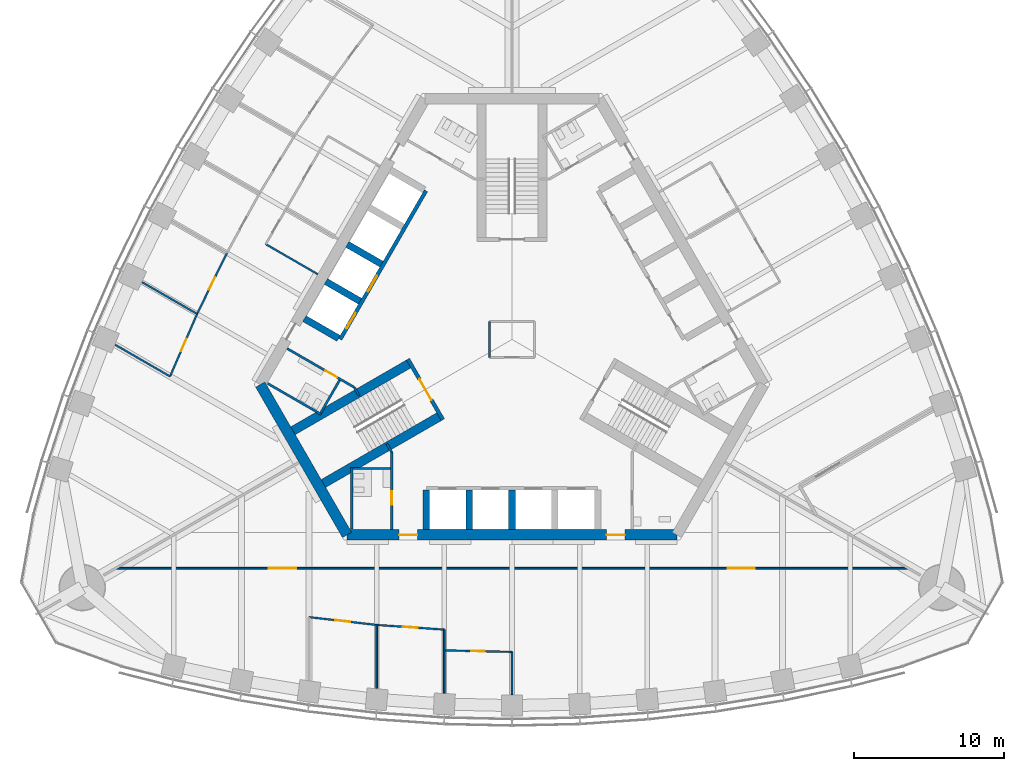
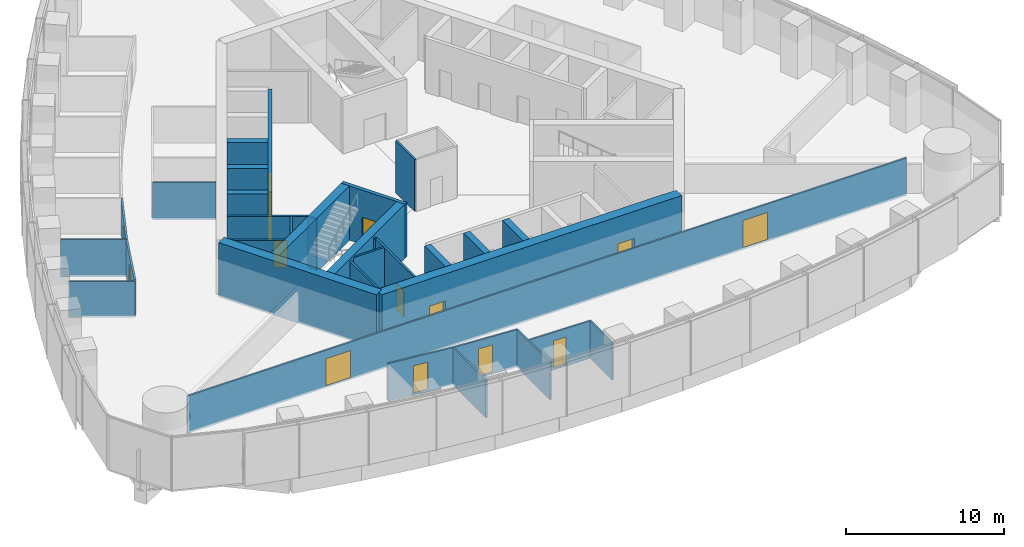
# One storey, part 11 of 19: 33 walls, 14 doors, 14 openings.
"""IFC4 building model written with IfcOpenShell, lengths in metres."""

from ifc_helpers import new_model, si_unit, direction, frame, frame_2d, origin, place, context, subcontext, project, spatial, rectangle, extrude, material, layer, layer_set, type_object, element, fill, save


model = new_model("IFC4")

# Units and contexts
model_context = context("Model", 3, precision=1e-05, world=origin(), true_north=direction((0.0, 1.0)))
body_context = subcontext(model_context, "Body", "Model", "MODEL_VIEW")
ifc_project = project(units=[si_unit("LENGTHUNIT", "METRE"), si_unit("AREAUNIT", "SQUARE_METRE"), si_unit("VOLUMEUNIT", "CUBIC_METRE"), si_unit("PLANEANGLEUNIT", "RADIAN"), si_unit("MASSUNIT", "GRAM", prefix="KILO")], contexts=[model_context])

# Site, building, storey
site_placement = place(None, origin())
site = spatial("IfcSite", under=ifc_project, at=site_placement, CompositionType="ELEMENT")
building_placement = place(site_placement, origin())
building = spatial("IfcBuilding", under=site, at=building_placement, Name="Trefoil Bronze Tower", CompositionType="ELEMENT")
storey_placement = place(building_placement, frame((0.0, 0.0, 248.5)))
storey = spatial("IfcBuildingStorey", under=building, at=storey_placement, Name="L57", CompositionType="ELEMENT", Elevation=248.5)

# Wall, openings, doors
ifc_material_1 = material(Name="Concrete B80", Category="concrete")
ifc_layer_1 = layer(ifc_material_1, 0.699951171875)
ifc_layer_set_1 = layer_set([ifc_layer_1], Name="Core wall 700")
wall_type_1 = type_object("IfcWallType", Name="Core wall 700", PredefinedType="SHEAR", material=ifc_layer_set_1)
wall_1_placement = place(storey_placement, frame((-10.9697265625, -13.0, 0.0), z_axis=(0.0, 0.0, 1.0), x_axis=(1.0, 0.0, 0.0)))
wall_1 = element("IfcWall", 1, at=wall_1_placement, inside=storey, type_object=wall_type_1, Name="Core long wall 1 L57", PredefinedType="SHEAR", context=body_context, shape_type="SweptSolid", body=[
    extrude(rectangle(XDim=21.939453125, YDim=0.699951171875, at=frame_2d((10.9697265625, 0.0))), origin(), (0.0, 0.0, 1.0), 4.199951171875),
])
opening_1_placement = place(wall_1_placement, frame((17.269775390625, 0.0, 0.0)))
opening_1 = element("IfcOpeningElement", 2, at=opening_1_placement, cuts=wall_1, Name="Opening D2", PredefinedType="OPENING", context=body_context, shape_type="SweptSolid", body=[
    extrude(rectangle(XDim=1.199951171875, YDim=2.10009765625, at=frame_2d((0.60009765625, 1.050048828125))), frame((0.0, 0.35986328125, 0.0), z_axis=(0.0, -1.0, 0.0), x_axis=(1.0, 0.0, 0.0)), (0.0, 0.0, 1.0), 0.719970703125),
])
opening_2_placement = place(wall_1_placement, frame((3.4697265625, 0.0, 0.0)))
opening_2 = element("IfcOpeningElement", 3, at=opening_2_placement, cuts=wall_1, Name="Opening D2", PredefinedType="OPENING", context=body_context, shape_type="SweptSolid", body=[
    extrude(rectangle(XDim=1.199951171875, YDim=2.10009765625, at=frame_2d((0.60009765625, 1.050048828125))), frame((0.0, 0.35986328125, 0.0), z_axis=(0.0, -1.0, 0.0), x_axis=(1.0, 0.0, 0.0)), (0.0, 0.0, 1.0), 0.719970703125),
])
ifc_material_2 = material(Name="Steel door", Category="steel")
door_type_1 = type_object("IfcDoorType", Name="Lobby door 1200", OperationType="SINGLE_SWING_RIGHT", PredefinedType="DOOR", material=ifc_material_2)
door_1_placement = place(opening_1_placement, origin())
door_1 = element("IfcDoor", 4, at=door_1_placement, inside=storey, type_object=door_type_1, Name="Lobby door F1+ L57", OperationType="SINGLE_SWING_RIGHT", OverallHeight=2.10009765625, OverallWidth=1.199951171875, PredefinedType="DOOR", context=body_context, shape_type="SweptSolid", body=[
    extrude(rectangle(XDim=1.199951171875, YDim=2.10009765625, at=frame_2d((0.60009765625, 1.050048828125))), frame((0.0, 0.02490234375, 0.0), z_axis=(0.0, -1.0, 0.0), x_axis=(1.0, 0.0, 0.0)), (0.0, 0.0, 1.0), 0.050048828125),
])
fill(opening_1, door_1)
door_2_placement = place(opening_2_placement, origin())
door_2 = element("IfcDoor", 5, at=door_2_placement, inside=storey, type_object=door_type_1, Name="Lobby door F1- L57", OperationType="SINGLE_SWING_LEFT", OverallHeight=2.10009765625, OverallWidth=1.199951171875, PredefinedType="DOOR", context=body_context, shape_type="SweptSolid", body=[
    extrude(rectangle(XDim=1.199951171875, YDim=2.10009765625, at=frame_2d((0.60009765625, 1.050048828125))), frame((0.0, 0.02490234375, 0.0), z_axis=(0.0, -1.0, 0.0), x_axis=(1.0, 0.0, 0.0)), (0.0, 0.0, 1.0), 0.050048828125),
])
fill(opening_2, door_2)

# Wall
wall_2_placement = place(storey_placement, frame((-16.7431640625, -3.0, 0.0), z_axis=(0.0, 0.0, 1.0), x_axis=(0.499995765644, -0.866027848477, 0.0)))
element("IfcWall", 6, at=wall_2_placement, inside=storey, type_object=wall_type_1, Name="Core short wall 3 L57", PredefinedType="SHEAR", context=body_context, shape_type="SweptSolid", body=[
    extrude(rectangle(XDim=11.546875, YDim=0.699951171875, at=frame_2d((5.7734375, 0.0))), origin(), (0.0, 0.0, 1.0), 4.199951171875),
])

# Wall, openings, doors
ifc_material_3 = material(Name="Glazed partition", Category="glass")
ifc_layer_2 = layer(ifc_material_3, 0.1201171875)
ifc_layer_set_2 = layer_set([ifc_layer_2], Name="Glazed partition 120")
wall_type_2 = type_object("IfcWallType", Name="Glazed partition 120", PredefinedType="PARTITIONING", material=ifc_layer_set_2)
wall_3_placement = place(storey_placement, frame((-26.311767578125, -15.2099609375, 0.0), z_axis=(0.0, 0.0, 1.0), x_axis=(1.0, 0.0, 0.0)))
wall_3 = element("IfcWall", 7, at=wall_3_placement, inside=storey, type_object=wall_type_2, Name="Partition F1 L57", PredefinedType="PARTITIONING", context=body_context, shape_type="SweptSolid", body=[
    extrude(rectangle(XDim=52.62353515625, YDim=0.1201171875, at=frame_2d((26.311767578125, 0.0))), origin(), (0.0, 0.0, 1.0), 2.89990234375),
])
opening_3_placement = place(wall_3_placement, frame((10.14990234375, 0.0, 0.14990234375)))
opening_3 = element("IfcOpeningElement", 8, at=opening_3_placement, cuts=wall_3, Name="Opening D10", PredefinedType="OPENING", context=body_context, shape_type="SweptSolid", body=[
    extrude(rectangle(XDim=1.800048828125, YDim=2.10009765625, at=frame_2d((0.89990234375, 1.050048828125))), frame((0.0, 0.070068359375, 0.0), z_axis=(0.0, -1.0, 0.0), x_axis=(1.0, 0.0, 0.0)), (0.0, 0.0, 1.0), 0.14013671875),
])
opening_4_placement = place(wall_3_placement, frame((40.64990234375, 0.0, 0.14990234375)))
opening_4 = element("IfcOpeningElement", 9, at=opening_4_placement, cuts=wall_3, Name="Opening D10", PredefinedType="OPENING", context=body_context, shape_type="SweptSolid", body=[
    extrude(rectangle(XDim=1.800048828125, YDim=2.10009765625, at=frame_2d((0.89990234375, 1.050048828125))), frame((0.0, 0.070068359375, 0.0), z_axis=(0.0, -1.0, 0.0), x_axis=(1.0, 0.0, 0.0)), (0.0, 0.0, 1.0), 0.14013671875),
])
ifc_material_4 = material(Name="Timber door", Category="wood")
door_type_2 = type_object("IfcDoorType", Name="Double door 1800", OperationType="DOUBLE_DOOR_SINGLE_SWING", PredefinedType="DOOR", material=ifc_material_4)
door_3_placement = place(opening_3_placement, origin())
door_3 = element("IfcDoor", 10, at=door_3_placement, inside=storey, type_object=door_type_2, Name="Corridor door F1 L57", OperationType="DOUBLE_DOOR_SINGLE_SWING", OverallHeight=2.10009765625, OverallWidth=1.800048828125, PredefinedType="DOOR", context=body_context, shape_type="SweptSolid", body=[
    extrude(rectangle(XDim=1.800048828125, YDim=2.10009765625, at=frame_2d((0.89990234375, 1.050048828125))), frame((0.0, 0.02490234375, 0.0), z_axis=(0.0, -1.0, 0.0), x_axis=(1.0, 0.0, 0.0)), (0.0, 0.0, 1.0), 0.050048828125),
])
fill(opening_3, door_3)
door_4_placement = place(opening_4_placement, origin())
door_4 = element("IfcDoor", 11, at=door_4_placement, inside=storey, type_object=door_type_2, Name="Corridor door F1 L57", OperationType="DOUBLE_DOOR_SINGLE_SWING", OverallHeight=2.10009765625, OverallWidth=1.800048828125, PredefinedType="DOOR", context=body_context, shape_type="SweptSolid", body=[
    extrude(rectangle(XDim=1.800048828125, YDim=2.10009765625, at=frame_2d((0.89990234375, 1.050048828125))), frame((0.0, 0.02490234375, 0.0), z_axis=(0.0, -1.0, 0.0), x_axis=(1.0, 0.0, 0.0)), (0.0, 0.0, 1.0), 0.050048828125),
])
fill(opening_4, door_4)

# Wall, opening, door
wall_4_placement = place(storey_placement, frame((-13.5, -18.466064453125, 0.0), z_axis=(0.0, 0.0, 1.0), x_axis=(0.993382946625, -0.114849124309, 0.0)))
wall_4 = element("IfcWall", 12, at=wall_4_placement, inside=storey, type_object=wall_type_2, Name="Partition F1 L57", PredefinedType="PARTITIONING", context=body_context, shape_type="SweptSolid", body=[
    extrude(rectangle(XDim=4.530029296875, YDim=0.1201171875, at=frame_2d((2.26513671875, 0.0))), origin(), (0.0, 0.0, 1.0), 2.89990234375),
])
opening_5_placement = place(wall_4_placement, frame((1.75, 0.0, 0.14990234375)))
opening_5 = element("IfcOpeningElement", 13, at=opening_5_placement, cuts=wall_4, Name="Opening D9", PredefinedType="OPENING", context=body_context, shape_type="SweptSolid", body=[
    extrude(rectangle(XDim=1.0, YDim=2.10009765625, at=frame_2d((0.5, 1.050048828125))), frame((0.0, 0.070068359375, 0.0), z_axis=(0.0, -1.0, 0.0), x_axis=(1.0, 0.0, 0.0)), (0.0, 0.0, 1.0), 0.14013671875),
])
ifc_material_5 = material(Name="Glazed timber door", Category="wood")
door_type_3 = type_object("IfcDoorType", Name="Meeting room door 1000", OperationType="SINGLE_SWING_LEFT", PredefinedType="DOOR", material=ifc_material_5)
door_5_placement = place(opening_5_placement, frame((1.0, 0.0, 0.0), z_axis=(0.0, 0.0, 1.0), x_axis=(-1.0, 0.0, 0.0)))
door_5 = element("IfcDoor", 14, at=door_5_placement, inside=storey, type_object=door_type_3, Name="Meeting room door F1 L57", OperationType="SINGLE_SWING_RIGHT", OverallHeight=2.10009765625, OverallWidth=1.0, PredefinedType="DOOR", context=body_context, shape_type="SweptSolid", body=[
    extrude(rectangle(XDim=1.0, YDim=2.10009765625, at=frame_2d((0.5, 1.050048828125))), frame((0.0, 0.02490234375, 0.0), z_axis=(0.0, -1.0, 0.0), x_axis=(1.0, 0.0, 0.0)), (0.0, 0.0, 1.0), 0.050048828125),
])
fill(opening_5, door_5)

wall_5_placement = place(storey_placement, frame((-4.5, -20.67724609375, 0.0), z_axis=(0.0, 0.0, 1.0), x_axis=(0.99973677065, -0.022943177842, 0.0)))
wall_5 = element("IfcWall", 15, at=wall_5_placement, inside=storey, type_object=wall_type_2, Name="Partition F1 L57", PredefinedType="PARTITIONING", context=body_context, shape_type="SweptSolid", body=[
    extrude(rectangle(XDim=4.501220703125, YDim=0.1201171875, at=frame_2d((2.25048828125, 0.0))), origin(), (0.0, 0.0, 1.0), 2.89990234375),
])
opening_6_placement = place(wall_5_placement, frame((1.800048828125, 0.0, 0.14990234375)))
opening_6 = element("IfcOpeningElement", 16, at=opening_6_placement, cuts=wall_5, Name="Opening D8", PredefinedType="OPENING", context=body_context, shape_type="SweptSolid", body=[
    extrude(rectangle(XDim=0.89990234375, YDim=2.10009765625, at=frame_2d((0.449951171875, 1.050048828125))), frame((0.0, 0.070068359375, 0.0), z_axis=(0.0, -1.0, 0.0), x_axis=(1.0, 0.0, 0.0)), (0.0, 0.0, 1.0), 0.14013671875),
])
ifc_material_6 = material(Name="Timber door", Category="wood")
door_type_4 = type_object("IfcDoorType", Name="Office door 900", OperationType="SINGLE_SWING_LEFT", PredefinedType="DOOR", material=ifc_material_6)
door_6_placement = place(opening_6_placement, frame((0.89990234375, 0.0, 0.0), z_axis=(0.0, 0.0, 1.0), x_axis=(-1.0, 0.0, 0.0)))
door_6 = element("IfcDoor", 17, at=door_6_placement, inside=storey, type_object=door_type_4, Name="Pantry door F1 L57", OperationType="SINGLE_SWING_RIGHT", OverallHeight=2.10009765625, OverallWidth=0.89990234375, PredefinedType="DOOR", context=body_context, shape_type="SweptSolid", body=[
    extrude(rectangle(XDim=0.89990234375, YDim=2.10009765625, at=frame_2d((0.449951171875, 1.050048828125))), frame((0.0, 0.02490234375, 0.0), z_axis=(0.0, -1.0, 0.0), x_axis=(1.0, 0.0, 0.0)), (0.0, 0.0, 1.0), 0.050048828125),
])
fill(opening_6, door_6)

wall_6_placement = place(storey_placement, frame((-9.0, -18.986328125, 0.0), z_axis=(0.0, 0.0, 1.0), x_axis=(0.997623533978, -0.068900540297, 0.0)))
wall_6 = element("IfcWall", 18, at=wall_6_placement, inside=storey, type_object=wall_type_2, Name="Partition F1 L57", PredefinedType="PARTITIONING", context=body_context, shape_type="SweptSolid", body=[
    extrude(rectangle(XDim=4.5107421875, YDim=0.1201171875, at=frame_2d((2.25537109375, 0.0))), origin(), (0.0, 0.0, 1.0), 2.89990234375),
])
opening_7_placement = place(wall_6_placement, frame((1.75, 0.0, 0.14990234375)))
opening_7 = element("IfcOpeningElement", 19, at=opening_7_placement, cuts=wall_6, Name="Opening D9", PredefinedType="OPENING", context=body_context, shape_type="SweptSolid", body=[
    extrude(rectangle(XDim=1.0, YDim=2.10009765625, at=frame_2d((0.5, 1.050048828125))), frame((0.0, 0.070068359375, 0.0), z_axis=(0.0, -1.0, 0.0), x_axis=(1.0, 0.0, 0.0)), (0.0, 0.0, 1.0), 0.14013671875),
])
door_7_placement = place(opening_7_placement, frame((1.0, 0.0, 0.0), z_axis=(0.0, 0.0, 1.0), x_axis=(-1.0, 0.0, 0.0)))
door_7 = element("IfcDoor", 20, at=door_7_placement, inside=storey, type_object=door_type_3, Name="Meeting room door F1 L57", OperationType="SINGLE_SWING_RIGHT", OverallHeight=2.10009765625, OverallWidth=1.0, PredefinedType="DOOR", context=body_context, shape_type="SweptSolid", body=[
    extrude(rectangle(XDim=1.0, YDim=2.10009765625, at=frame_2d((0.5, 1.050048828125))), frame((0.0, 0.02490234375, 0.0), z_axis=(0.0, -1.0, 0.0), x_axis=(1.0, 0.0, 0.0)), (0.0, 0.0, 1.0), 0.050048828125),
])
fill(opening_7, door_7)

# Walls
wall_7_placement = place(storey_placement, frame((0.0, -20.780517578125, 0.0), z_axis=(0.0, 0.0, 1.0), x_axis=(0.0, -1.0, 0.0)))
element("IfcWall", 21, at=wall_7_placement, inside=storey, type_object=wall_type_2, Name="Partition F1 L57", PredefinedType="PARTITIONING", context=body_context, shape_type="SweptSolid", body=[
    extrude(rectangle(XDim=2.840087890625, YDim=0.1201171875, at=frame_2d((1.419921875, 0.0))), origin(), (0.0, 0.0, 1.0), 2.89990234375),
])
wall_8_placement = place(storey_placement, frame((-4.5, -19.297119140625, 0.0), z_axis=(0.0, 0.0, 1.0), x_axis=(0.0, -1.0, 0.0)))
element("IfcWall", 22, at=wall_8_placement, inside=storey, type_object=wall_type_2, Name="Partition F1 L57", PredefinedType="PARTITIONING", context=body_context, shape_type="SweptSolid", body=[
    extrude(rectangle(XDim=4.218505859375, YDim=0.1201171875, at=frame_2d((2.109375, 0.0))), origin(), (0.0, 0.0, 1.0), 2.89990234375),
])
wall_9_placement = place(storey_placement, frame((-9.0, -18.986328125, 0.0), z_axis=(0.0, 0.0, 1.0), x_axis=(0.0, -1.0, 0.0)))
element("IfcWall", 23, at=wall_9_placement, inside=storey, type_object=wall_type_2, Name="Partition F1 L57", PredefinedType="PARTITIONING", context=body_context, shape_type="SweptSolid", body=[
    extrude(rectangle(XDim=4.213623046875, YDim=0.1201171875, at=frame_2d((2.10693359375, 0.0))), origin(), (0.0, 0.0, 1.0), 2.89990234375),
])
wall_10_placement = place(storey_placement, frame((-12.911376953125, 4.336669921875, 0.0), z_axis=(0.0, 0.0, 1.0), x_axis=(-0.866026010844, 0.49999894854, 0.0)))
element("IfcWall", 24, at=wall_10_placement, inside=storey, type_object=wall_type_2, Name="Partition F3 L57", PredefinedType="PARTITIONING", context=body_context, shape_type="SweptSolid", body=[
    extrude(rectangle(XDim=4.0, YDim=0.1201171875, at=frame_2d((2.0, 0.0))), origin(), (0.0, 0.0, 1.0), 2.89990234375),
])

# Wall, opening, door
wall_11_placement = place(storey_placement, frame((-18.9619140625, 5.75146484375, 0.0), z_axis=(0.0, 0.0, 1.0), x_axis=(-0.43911984878, -0.898428493764, 0.0)))
wall_11 = element("IfcWall", 25, at=wall_11_placement, inside=storey, type_object=wall_type_2, Name="Partition F3 L57", PredefinedType="PARTITIONING", context=body_context, shape_type="SweptSolid", body=[
    extrude(rectangle(XDim=4.5107421875, YDim=0.1201171875, at=frame_2d((2.25537109375, 0.0))), origin(), (0.0, 0.0, 1.0), 2.89990234375),
])
opening_8_placement = place(wall_11_placement, frame((1.800048828125, 0.0, 0.14990234375)))
opening_8 = element("IfcOpeningElement", 26, at=opening_8_placement, cuts=wall_11, Name="Opening D8", PredefinedType="OPENING", context=body_context, shape_type="SweptSolid", body=[
    extrude(rectangle(XDim=0.89990234375, YDim=2.10009765625, at=frame_2d((0.449951171875, 1.050048828125))), frame((0.0, 0.070068359375, 0.0), z_axis=(0.0, -1.0, 0.0), x_axis=(1.0, 0.0, 0.0)), (0.0, 0.0, 1.0), 0.14013671875),
])
door_8_placement = place(opening_8_placement, frame((0.89990234375, 0.0, 0.0), z_axis=(0.0, 0.0, 1.0), x_axis=(-1.0, 0.0, 0.0)))
door_8 = element("IfcDoor", 27, at=door_8_placement, inside=storey, type_object=door_type_4, Name="Office door F3 L57", OperationType="SINGLE_SWING_RIGHT", OverallHeight=2.10009765625, OverallWidth=0.89990234375, PredefinedType="DOOR", context=body_context, shape_type="SweptSolid", body=[
    extrude(rectangle(XDim=0.89990234375, YDim=2.10009765625, at=frame_2d((0.449951171875, 1.050048828125))), frame((0.0, 0.02490234375, 0.0), z_axis=(0.0, -1.0, 0.0), x_axis=(1.0, 0.0, 0.0)), (0.0, 0.0, 1.0), 0.050048828125),
])
fill(opening_8, door_8)

wall_12_placement = place(storey_placement, frame((-20.942626953125, 1.698974609375, 0.0), z_axis=(0.0, 0.0, 1.0), x_axis=(-0.397253491631, -0.917708920839, 0.0)))
wall_12 = element("IfcWall", 28, at=wall_12_placement, inside=storey, type_object=wall_type_2, Name="Partition F3 L57", PredefinedType="PARTITIONING", context=body_context, shape_type="SweptSolid", body=[
    extrude(rectangle(XDim=4.530029296875, YDim=0.1201171875, at=frame_2d((2.26513671875, 0.0))), origin(), (0.0, 0.0, 1.0), 2.89990234375),
])
opening_9_placement = place(wall_12_placement, frame((1.800048828125, 0.0, 0.14990234375)))
opening_9 = element("IfcOpeningElement", 29, at=opening_9_placement, cuts=wall_12, Name="Opening D8", PredefinedType="OPENING", context=body_context, shape_type="SweptSolid", body=[
    extrude(rectangle(XDim=0.89990234375, YDim=2.10009765625, at=frame_2d((0.449951171875, 1.050048828125))), frame((0.0, 0.070068359375, 0.0), z_axis=(0.0, -1.0, 0.0), x_axis=(1.0, 0.0, 0.0)), (0.0, 0.0, 1.0), 0.14013671875),
])
door_9_placement = place(opening_9_placement, frame((0.89990234375, 0.0, 0.0), z_axis=(0.0, 0.0, 1.0), x_axis=(-1.0, 0.0, 0.0)))
door_9 = element("IfcDoor", 30, at=door_9_placement, inside=storey, type_object=door_type_4, Name="Office door F3 L57", OperationType="SINGLE_SWING_RIGHT", OverallHeight=2.10009765625, OverallWidth=0.89990234375, PredefinedType="DOOR", context=body_context, shape_type="SweptSolid", body=[
    extrude(rectangle(XDim=0.89990234375, YDim=2.10009765625, at=frame_2d((0.449951171875, 1.050048828125))), frame((0.0, 0.02490234375, 0.0), z_axis=(0.0, -1.0, 0.0), x_axis=(1.0, 0.0, 0.0)), (0.0, 0.0, 1.0), 0.050048828125),
])
fill(opening_9, door_9)

# Walls
wall_13_placement = place(storey_placement, frame((-22.7421875, -2.458251953125, 0.0), z_axis=(0.0, 0.0, 1.0), x_axis=(-0.866033799337, 0.499985458195, 0.0)))
element("IfcWall", 31, at=wall_13_placement, inside=storey, type_object=wall_type_2, Name="Partition F3 L57", PredefinedType="PARTITIONING", context=body_context, shape_type="SweptSolid", body=[
    extrude(rectangle(XDim=4.205322265625, YDim=0.1201171875, at=frame_2d((2.1025390625, 0.0))), origin(), (0.0, 0.0, 1.0), 2.800048828125),
])
wall_14_placement = place(storey_placement, frame((-20.942626953125, 1.698974609375, 0.0), z_axis=(0.0, 0.0, 1.0), x_axis=(-0.866041823485, 0.499971559166, 0.0)))
element("IfcWall", 32, at=wall_14_placement, inside=storey, type_object=wall_type_2, Name="Partition F3 L57", PredefinedType="PARTITIONING", context=body_context, shape_type="SweptSolid", body=[
    extrude(rectangle(XDim=4.213623046875, YDim=0.1201171875, at=frame_2d((2.10693359375, 0.0))), origin(), (0.0, 0.0, 1.0), 2.89990234375),
])
ifc_material_7 = material(Name="Concrete B80", Category="concrete")
ifc_layer_3 = layer(ifc_material_7, 0.449951171875)
ifc_layer_set_3 = layer_set([ifc_layer_3], Name="Outrigger shaft wall 450")
wall_type_3 = type_object("IfcWallType", Name="Outrigger shaft wall 450", PredefinedType="SHEAR", material=ifc_layer_set_3)
for number, where, z_axis, x_axis, name in (
    (33, (-5.699951171875, -10.02490234375, 0.0), (0.0, 0.0, 1.0), (0.0, -1.0, 0.0), "Lift shaft side wall A0 L57"),
    (34, (-2.85009765625, -10.02490234375, 0.0), (0.0, 0.0, 1.0), (0.0, -1.0, 0.0), "Lift shaft side wall A1 L57"),
    (35, (0.0, -10.02490234375, 0.0), (0.0, 0.0, 1.0), (0.0, -1.0, 0.0), "Lift shaft side wall A2 L57"),
    (36, (-8.681884765625, 5.012451171875, 0.0), (0.0, 0.0, 1.0), (-0.866036909293, 0.499980071345, 0.0), "Lift shaft side wall C2 L57"),
    (37, (-10.10693359375, 2.54443359375, 0.0), (0.0, 0.0, 1.0), (-0.866013657776, 0.500020344131, 0.0), "Lift shaft side wall C3 L57"),
    (38, (-11.531982421875, 0.076171875, 0.0), (0.0, 0.0, 1.0), (-0.866013657776, 0.500020344131, 0.0), "Lift shaft side wall C4 L57"),
):
    element("IfcWall", number, at=place(storey_placement, frame(where, z_axis=z_axis, x_axis=x_axis)), inside=storey, type_object=wall_type_3, Name=name, PredefinedType="SHEAR", context=body_context, shape_type="SweptSolid", body=[
        extrude(rectangle(XDim=2.625, YDim=0.449951171875, at=frame_2d((1.3125, 0.0))), origin(), (0.0, 0.0, 1.0), 4.199951171875),
    ])

# Wall, opening, door
ifc_material_8 = material(Name="Gypsum board on steel studs", Category="steel")
ifc_layer_4 = layer(ifc_material_8, 0.14990234375)
ifc_layer_set_4 = layer_set([ifc_layer_4], Name="Partition 150")
wall_type_4 = type_object("IfcWallType", Name="Partition 150", PredefinedType="PARTITIONING", material=ifc_layer_set_4)
wall_15_placement = place(storey_placement, frame((-8.0, -7.5, 0.0), z_axis=(0.0, 0.0, 1.0), x_axis=(0.0, -1.0, 0.0)))
wall_15 = element("IfcWall", 39, at=wall_15_placement, inside=storey, type_object=wall_type_4, Name="Passage wall F1- L57", PredefinedType="PARTITIONING", context=body_context, shape_type="SweptSolid", body=[
    extrude(rectangle(XDim=5.14990234375, YDim=0.14990234375, at=frame_2d((2.574951171875, 0.0))), origin(), (0.0, 0.0, 1.0), 4.0),
])
opening_10_placement = place(wall_15_placement, frame((2.60009765625, 0.0, 0.0)))
opening_10 = element("IfcOpeningElement", 40, at=opening_10_placement, cuts=wall_15, Name="Opening D3", PredefinedType="OPENING", context=body_context, shape_type="SweptSolid", body=[
    extrude(rectangle(XDim=0.89990234375, YDim=2.10009765625, at=frame_2d((0.449951171875, 1.050048828125))), frame((0.0, 0.0849609375, 0.0), z_axis=(0.0, -1.0, 0.0), x_axis=(1.0, 0.0, 0.0)), (0.0, 0.0, 1.0), 0.169921875),
])
ifc_material_9 = material(Name="Timber door", Category="wood")
door_type_5 = type_object("IfcDoorType", Name="WC door 900", OperationType="SINGLE_SWING_LEFT", PredefinedType="DOOR", material=ifc_material_9)
door_10_placement = place(opening_10_placement, frame((0.89990234375, 0.0, 0.0), z_axis=(0.0, 0.0, 1.0), x_axis=(-1.0, 0.0, 0.0)))
door_10 = element("IfcDoor", 41, at=door_10_placement, inside=storey, type_object=door_type_5, Name="WC (women) door L57", OperationType="SINGLE_SWING_RIGHT", OverallHeight=2.10009765625, OverallWidth=0.89990234375, PredefinedType="DOOR", context=body_context, shape_type="SweptSolid", body=[
    extrude(rectangle(XDim=0.89990234375, YDim=2.10009765625, at=frame_2d((0.449951171875, 1.050048828125))), frame((0.0, 0.02490234375, 0.0), z_axis=(0.0, -1.0, 0.0), x_axis=(1.0, 0.0, 0.0)), (0.0, 0.0, 1.0), 0.050048828125),
])
fill(opening_10, door_10)

wall_16_placement = place(storey_placement, frame((-10.4951171875, -3.17822265625, 0.0), z_axis=(0.0, 0.0, 1.0), x_axis=(-0.866037967349, 0.499978238636, 0.0)))
wall_16 = element("IfcWall", 42, at=wall_16_placement, inside=storey, type_object=wall_type_4, Name="Passage wall F3+ L57", PredefinedType="PARTITIONING", context=body_context, shape_type="SweptSolid", body=[
    extrude(rectangle(XDim=5.150146484375, YDim=0.14990234375, at=frame_2d((2.5751953125, 0.0))), origin(), (0.0, 0.0, 1.0), 4.0),
])
opening_11_placement = place(wall_16_placement, frame((1.300048828125, 0.0, 0.0)))
opening_11 = element("IfcOpeningElement", 43, at=opening_11_placement, cuts=wall_16, Name="Opening D3", PredefinedType="OPENING", context=body_context, shape_type="SweptSolid", body=[
    extrude(rectangle(XDim=0.89990234375, YDim=2.10009765625, at=frame_2d((0.449951171875, 1.050048828125))), frame((0.0, 0.0849609375, 0.0), z_axis=(0.0, -1.0, 0.0), x_axis=(1.0, 0.0, 0.0)), (0.0, 0.0, 1.0), 0.169921875),
])
door_11_placement = place(opening_11_placement, origin())
door_11 = element("IfcDoor", 44, at=door_11_placement, inside=storey, type_object=door_type_5, Name="WC (men) door L57", OperationType="SINGLE_SWING_LEFT", OverallHeight=2.10009765625, OverallWidth=0.89990234375, PredefinedType="DOOR", context=body_context, shape_type="SweptSolid", body=[
    extrude(rectangle(XDim=0.89990234375, YDim=2.10009765625, at=frame_2d((0.449951171875, 1.050048828125))), frame((0.0, 0.02490234375, 0.0), z_axis=(0.0, -1.0, 0.0), x_axis=(1.0, 0.0, 0.0)), (0.0, 0.0, 1.0), 0.050048828125),
])
fill(opening_11, door_11)

# Walls
for number, where, z_axis, x_axis, name in (
    (45, (-10.4951171875, -3.17822265625, 0.0), (0.0, 0.0, 1.0), (0.499842556608, -0.866116284689, 0.0), "WC wall ST3-1 L57"),
    (46, (-8.0, -7.5, 0.0), (0.0, 0.0, 1.0), (-0.499842556608, 0.866116284689, 0.0), "WC wall ST3+1 L57"),
):
    element("IfcWall", number, at=place(storey_placement, frame(where, z_axis=z_axis, x_axis=x_axis)), inside=storey, type_object=wall_type_4, Name=name, PredefinedType="PARTITIONING", context=body_context, shape_type="SweptSolid", body=[
        extrude(rectangle(XDim=0.645263671875, YDim=0.14990234375, at=frame_2d((0.32275390625, 0.0))), origin(), (0.0, 0.0, 1.0), 4.0),
    ])
wall_17_placement = place(storey_placement, frame((-12.691162109375, -4.98193359375, 0.0), z_axis=(0.0, 0.0, 1.0), x_axis=(-0.8660249478, 0.500000789788, 0.0)))
element("IfcWall", 47, at=wall_17_placement, inside=storey, type_object=wall_type_4, Name="WC partition WC (men) L57", PredefinedType="PARTITIONING", context=body_context, shape_type="SweptSolid", body=[
    extrude(rectangle(XDim=4.10009765625, YDim=0.14990234375, at=frame_2d((2.050048828125, 0.0))), origin(), (0.0, 0.0, 1.0), 4.0),
])
wall_18_placement = place(storey_placement, frame((-11.463623046875, -2.70556640625, 0.0), z_axis=(0.0, 0.0, 1.0), x_axis=(-0.50001992892, -0.866013897511, 0.0)))
element("IfcWall", 48, at=wall_18_placement, inside=storey, type_object=wall_type_4, Name="WC partition WC (men) L57", PredefinedType="PARTITIONING", context=body_context, shape_type="SweptSolid", body=[
    extrude(rectangle(XDim=2.51025390625, YDim=0.14990234375, at=frame_2d((1.255126953125, 0.0))), origin(), (0.0, 0.0, 1.0), 4.0),
])
wall_19_placement = place(storey_placement, frame((-10.659912109375, -8.5, 0.0), z_axis=(0.0, 0.0, 1.0), x_axis=(0.0, -1.0, 0.0)))
element("IfcWall", 49, at=wall_19_placement, inside=storey, type_object=wall_type_4, Name="WC partition WC (women) L57", PredefinedType="PARTITIONING", context=body_context, shape_type="SweptSolid", body=[
    extrude(rectangle(XDim=4.10009765625, YDim=0.14990234375, at=frame_2d((2.050048828125, 0.0))), origin(), (0.0, 0.0, 1.0), 4.0),
])
wall_20_placement = place(storey_placement, frame((-8.074951171875, -8.574951171875, 0.0), z_axis=(0.0, 0.0, 1.0), x_axis=(-1.0, 0.0, 0.0)))
element("IfcWall", 50, at=wall_20_placement, inside=storey, type_object=wall_type_4, Name="WC partition WC (women) L57", PredefinedType="PARTITIONING", context=body_context, shape_type="SweptSolid", body=[
    extrude(rectangle(XDim=2.510009765625, YDim=0.14990234375, at=frame_2d((1.2548828125, 0.0))), origin(), (0.0, 0.0, 1.0), 4.0),
])
ifc_material_10 = material(Name="Gypsum board on steel studs", Category="steel")
ifc_layer_5 = layer(ifc_material_10, 0.14990234375)
ifc_layer_set_5 = layer_set([ifc_layer_5], Name="Riser wall 150")
wall_type_5 = type_object("IfcWallType", Name="Riser wall 150", PredefinedType="PARTITIONING", material=ifc_layer_set_5)
wall_21_placement = place(storey_placement, frame((-1.5, 1.199951171875, 0.0), z_axis=(0.0, 0.0, 1.0), x_axis=(0.0, -1.0, 0.0)))
element("IfcWall", 51, at=wall_21_placement, inside=storey, type_object=wall_type_5, Name="Riser wall L57", PredefinedType="PARTITIONING", context=body_context, shape_type="SweptSolid", body=[
    extrude(rectangle(XDim=2.39990234375, YDim=0.14990234375, at=frame_2d((1.199951171875, 0.0))), origin(), (0.0, 0.0, 1.0), 4.0),
])

# Wall, openings, doors
ifc_material_11 = material(Name="Concrete B80", Category="concrete")
ifc_layer_6 = layer(ifc_material_11, 0.25)
ifc_layer_set_6 = layer_set([ifc_layer_6], Name="Shaft wall 250")
wall_type_6 = type_object("IfcWallType", Name="Shaft wall 250", PredefinedType="SHEAR", material=ifc_layer_set_6)
wall_22_placement = place(storey_placement, frame((-5.7236328125, 9.88623046875, 0.0), z_axis=(0.0, 0.0, 1.0), x_axis=(-0.500001763848, -0.866024385424, 0.0)))
wall_22 = element("IfcWall", 52, at=wall_22_placement, inside=storey, type_object=wall_type_6, Name="Lift shaft front wall C L57", PredefinedType="SHEAR", context=body_context, shape_type="SweptSolid", body=[
    extrude(rectangle(XDim=11.39990234375, YDim=0.25, at=frame_2d((5.699951171875, 0.0))), origin(), (0.0, 0.0, 1.0), 4.199951171875),
])
opening_12_placement = place(wall_22_placement, frame((6.52490234375, 0.0, 0.0)))
opening_12 = element("IfcOpeningElement", 53, at=opening_12_placement, cuts=wall_22, Name="Opening LD-FL1", PredefinedType="OPENING", context=body_context, shape_type="SweptSolid", body=[
    extrude(rectangle(XDim=1.199951171875, YDim=2.199951171875, at=frame_2d((0.60009765625, 1.10009765625))), frame((0.0, 0.135009765625, 0.0), z_axis=(0.0, -1.0, 0.0), x_axis=(1.0, 0.0, 0.0)), (0.0, 0.0, 1.0), 0.27001953125),
])
opening_13_placement = place(wall_22_placement, frame((9.375, 0.0, 0.0)))
opening_13 = element("IfcOpeningElement", 54, at=opening_13_placement, cuts=wall_22, Name="Opening LD-FL2", PredefinedType="OPENING", context=body_context, shape_type="SweptSolid", body=[
    extrude(rectangle(XDim=1.199951171875, YDim=2.199951171875, at=frame_2d((0.60009765625, 1.10009765625))), frame((0.0, 0.135009765625, 0.0), z_axis=(0.0, -1.0, 0.0), x_axis=(1.0, 0.0, 0.0)), (0.0, 0.0, 1.0), 0.27001953125),
])
ifc_material_12 = material(Name="Steel door", Category="steel")
door_type_6 = type_object("IfcDoorType", Name="Lift landing door 1200", OperationType="DOUBLE_DOOR_SLIDING", PredefinedType="DOOR", material=ifc_material_12)
door_12_placement = place(opening_12_placement, origin())
door_12 = element("IfcDoor", 55, at=door_12_placement, inside=storey, type_object=door_type_6, Name="Lift FL1 landing door L57", OperationType="DOUBLE_DOOR_SLIDING", OverallHeight=2.199951171875, OverallWidth=1.199951171875, PredefinedType="DOOR", context=body_context, shape_type="SweptSolid", body=[
    extrude(rectangle(XDim=1.199951171875, YDim=2.199951171875, at=frame_2d((0.60009765625, 1.10009765625))), frame((0.0, 0.02490234375, 0.0), z_axis=(0.0, -1.0, 0.0), x_axis=(1.0, 0.0, 0.0)), (0.0, 0.0, 1.0), 0.050048828125),
])
fill(opening_12, door_12)
door_13_placement = place(opening_13_placement, origin())
door_13 = element("IfcDoor", 56, at=door_13_placement, inside=storey, type_object=door_type_6, Name="Lift FL2 landing door L57", OperationType="DOUBLE_DOOR_SLIDING", OverallHeight=2.199951171875, OverallWidth=1.199951171875, PredefinedType="DOOR", context=body_context, shape_type="SweptSolid", body=[
    extrude(rectangle(XDim=1.199951171875, YDim=2.199951171875, at=frame_2d((0.60009765625, 1.10009765625))), frame((0.0, 0.02490234375, 0.0), z_axis=(0.0, -1.0, 0.0), x_axis=(1.0, 0.0, 0.0)), (0.0, 0.0, 1.0), 0.050048828125),
])
fill(opening_13, door_13)

# Wall, opening, door
wall_23_placement = place(storey_placement, frame((-6.921630859375, -1.3115234375, 0.0), z_axis=(0.0, 0.0, 1.0), x_axis=(0.499984536904, -0.866034331223, 0.0)))
wall_23 = element("IfcWall", 57, at=wall_23_placement, inside=storey, type_object=wall_type_6, Name="Stair end wall ST3 L57", PredefinedType="SHEAR", context=body_context, shape_type="SweptSolid", body=[
    extrude(rectangle(XDim=4.650146484375, YDim=0.25, at=frame_2d((2.3251953125, 0.0))), origin(), (0.0, 0.0, 1.0), 4.199951171875),
])
opening_14_placement = place(wall_23_placement, frame((1.52490234375, 0.0, 0.0)))
opening_14 = element("IfcOpeningElement", 58, at=opening_14_placement, cuts=wall_23, Name="Opening D1", PredefinedType="OPENING", context=body_context, shape_type="SweptSolid", body=[
    extrude(rectangle(XDim=1.60009765625, YDim=2.10009765625, at=frame_2d((0.800048828125, 1.050048828125))), frame((0.0, 0.135009765625, 0.0), z_axis=(0.0, -1.0, 0.0), x_axis=(1.0, 0.0, 0.0)), (0.0, 0.0, 1.0), 0.27001953125),
])
ifc_material_13 = material(Name="Steel door", Category="steel")
door_type_7 = type_object("IfcDoorType", Name="Stair door 1600", OperationType="DOUBLE_DOOR_SINGLE_SWING", PredefinedType="DOOR", material=ifc_material_13)
door_14_placement = place(opening_14_placement, frame((1.60009765625, 0.0, 0.0), z_axis=(0.0, 0.0, 1.0), x_axis=(-1.0, 0.0, 0.0)))
door_14 = element("IfcDoor", 59, at=door_14_placement, inside=storey, type_object=door_type_7, Name="Stair door ST3 L57", OperationType="DOUBLE_DOOR_SINGLE_SWING", OverallHeight=2.10009765625, OverallWidth=1.60009765625, PredefinedType="DOOR", context=body_context, shape_type="SweptSolid", body=[
    extrude(rectangle(XDim=1.60009765625, YDim=2.10009765625, at=frame_2d((0.800048828125, 1.050048828125))), frame((0.0, 0.02490234375, 0.0), z_axis=(0.0, -1.0, 0.0), x_axis=(1.0, 0.0, 0.0)), (0.0, 0.0, 1.0), 0.050048828125),
])
fill(opening_14, door_14)

# Walls
ifc_material_14 = material(Name="Concrete B80", Category="concrete")
ifc_layer_7 = layer(ifc_material_14, 0.60009765625)
ifc_layer_set_7 = layer_set([ifc_layer_7], Name="Stair wall 600")
wall_type_7 = type_object("IfcWallType", Name="Stair wall 600", PredefinedType="SHEAR", material=ifc_layer_set_7)
for number, where, z_axis, x_axis, name in (
    (60, (-6.663330078125, -1.5087890625, 0.0), (0.0, 0.0, 1.0), (-0.866028310072, -0.499994966129, 0.0), "Stair wall ST3 L57"),
    (61, (-4.638427734375, -5.01611328125, 0.0), (0.0, 0.0, 1.0), (-0.866021621257, -0.500006551472, 0.0), "Stair wall ST3 L57"),
):
    element("IfcWall", number, at=place(storey_placement, frame(where, z_axis=z_axis, x_axis=x_axis)), inside=storey, type_object=wall_type_7, Name=name, PredefinedType="SHEAR", context=body_context, shape_type="SweptSolid", body=[
        extrude(rectangle(XDim=9.125, YDim=0.60009765625, at=frame_2d((4.5625, 0.0))), origin(), (0.0, 0.0, 1.0), 4.199951171875),
    ])

save(model, "model.ifc")
